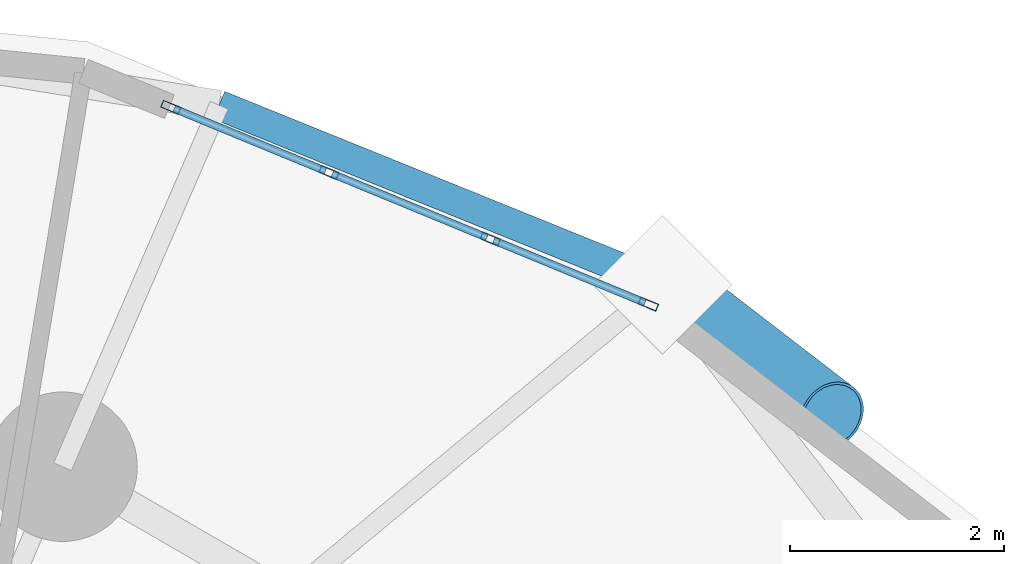
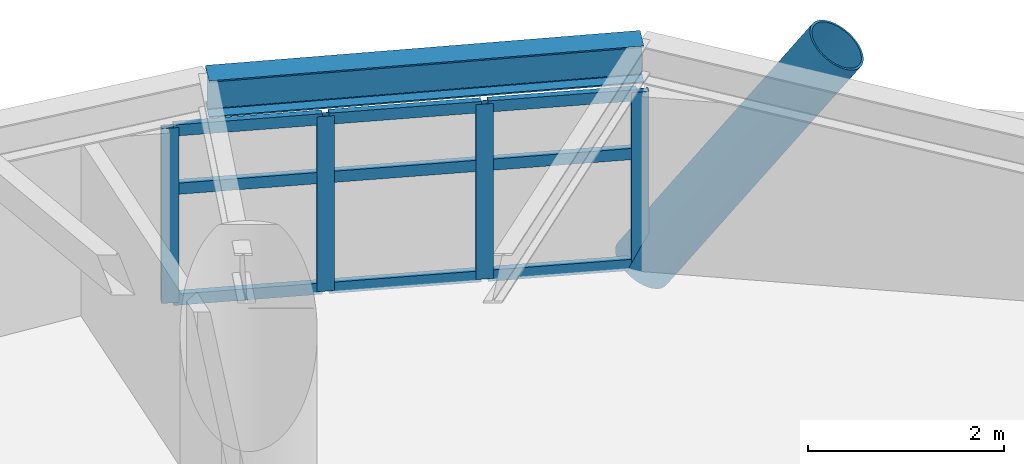
# One storey, part 7 of 19: 14 members, 1 beam, 1 element without a shape of its own.
"""IFC4 building model written with IfcOpenShell, lengths in metres."""

from ifc_helpers import new_model, si_unit, direction, frame, origin, origin_2d, place, context, subcontext, project, spatial, hollow_rectangle, hollow_circle, i_section, extrude, material, layer, layer_set, material_profile, profile_set, type_object, element, aggregate, save


model = new_model("IFC4")

# Units and contexts
model_context = context("Model", 3, precision=1e-05, world=origin(), true_north=direction((0.0, 1.0)))
body_context = subcontext(model_context, "Body", "Model", "MODEL_VIEW")
ifc_project = project(units=[si_unit("LENGTHUNIT", "METRE"), si_unit("AREAUNIT", "SQUARE_METRE"), si_unit("VOLUMEUNIT", "CUBIC_METRE"), si_unit("PLANEANGLEUNIT", "RADIAN"), si_unit("MASSUNIT", "GRAM", prefix="KILO")], contexts=[model_context])

# Site, building, storey
site_placement = place(None, origin())
site = spatial("IfcSite", under=ifc_project, at=site_placement, CompositionType="ELEMENT")
building_placement = place(site_placement, origin())
building = spatial("IfcBuilding", under=site, at=building_placement, Name="Cununo Teusaquillo Station Towers", CompositionType="ELEMENT")
storey_placement = place(building_placement, frame((0.0, 0.0, 84.699951171875)))
storey = spatial("IfcBuildingStorey", under=building, at=storey_placement, Name="L26", CompositionType="ELEMENT", Elevation=84.699951171875)

# Beam
ifc_material_1 = material(Name="Steel ASTM A572 Grade 50", Category="steel")
ifc_material_profile_1 = material_profile(ifc_material_1, i_section(OverallWidth=0.280029296875, OverallDepth=0.462890625, WebThickness=0.0107421875, FlangeThickness=0.017333984375, FilletRadius=0.013916015625, at=origin_2d()), Name="W18X76")
ifc_profile_set_1 = profile_set([ifc_material_profile_1], Name="Steel ASTM A572 Grade 50")
beam_type = type_object("IfcBeamType", Name="BM-RING-Z2", PredefinedType="SPANDREL", material=ifc_profile_set_1)
beam_placement = place(storey_placement, frame((63.9111328125, 39.341064453125, 2.4384765625), z_axis=(-0.927007712072, 0.375042266631, 0.0), x_axis=(-0.375042266631, -0.927007712072, 0.0)))
element("IfcBeam", 1, at=beam_placement, inside=storey, type_object=beam_type, Name="L26 Tower B Spandrel Ring Beam 02", PredefinedType="SPANDREL", context=body_context, shape_type="SweptSolid", body=[
    extrude(i_section(OverallWidth=0.280029296875, OverallDepth=0.462890625, WebThickness=0.0107421875, FlangeThickness=0.017333984375, FilletRadius=0.013916015625, at=origin_2d()), origin(), (0.0, 0.0, 1.0), 4.480712890625),
])

# Curtain wall, members
ifc_material_2 = material(Name="Ceramic-fritted dark low-E double glazing", Category="glass")
ifc_layer = layer(ifc_material_2, 0.179931640625)
ifc_layer_set = layer_set([ifc_layer], Name="Ceramic-fritted dark low-E double glazing")
curtain_wall_type = type_object("IfcCurtainWallType", Name="CW-SYS-04", PredefinedType="USERDEFINED", material=ifc_layer_set)
curtain_wall_placement = place(storey_placement, origin())
curtain_wall = element("IfcCurtainWall", 2, at=curtain_wall_placement, inside=storey, type_object=curtain_wall_type, Name="L26 Tower B Facade Curtain Wall C01", ObjectType="FRITTED GLAZING", PredefinedType="USERDEFINED")
ifc_material_3 = material(Name="Anodised dark bronze aluminium EN AW-6063-T6", Category="aluminium")
ifc_material_profile_2 = material_profile(ifc_material_3, hollow_rectangle(XDim=0.070068359375, YDim=0.179931640625, WallThickness=0.00390625, at=origin_2d()), Name="CW-MULL-70x180")
ifc_profile_set_2 = profile_set([ifc_material_profile_2], Name="Anodised dark bronze aluminium EN AW-6063-T6")
member_type_1 = type_object("IfcMemberType", Name="CWM-180", PredefinedType="MULLION", material=ifc_profile_set_2)
member_1_placement = place(storey_placement, frame((59.3056640625, 41.001953125, 0.0), z_axis=(0.0, 0.0, 1.0), x_axis=(0.381030560176, 0.924562443652, 0.0)))
member_1 = element("IfcMember", 3, at=member_1_placement, type_object=member_type_1, Name="CW-04 mullion 1", PredefinedType="MULLION", context=body_context, shape_type="SweptSolid", body=[
    extrude(hollow_rectangle(XDim=0.070068359375, YDim=0.179931640625, WallThickness=0.00390625, at=origin_2d()), origin(), (0.0, 0.0, 1.0), 2.178955078125),
])
member_2_placement = place(storey_placement, frame((60.785888671875, 40.39208984375, 0.0), z_axis=(0.0, 0.0, 1.0), x_axis=(0.381030560176, 0.924562443652, 0.0)))
member_2 = element("IfcMember", 4, at=member_2_placement, type_object=member_type_1, Name="CW-04 mullion 2", PredefinedType="MULLION", context=body_context, shape_type="SweptSolid", body=[
    extrude(hollow_rectangle(XDim=0.070068359375, YDim=0.179931640625, WallThickness=0.00390625, at=origin_2d()), origin(), (0.0, 0.0, 1.0), 2.178955078125),
])
member_3_placement = place(storey_placement, frame((62.298583984375, 39.7685546875, 0.0), z_axis=(0.0, 0.0, 1.0), x_axis=(0.381030560176, 0.924562443652, 0.0)))
member_3 = element("IfcMember", 5, at=member_3_placement, type_object=member_type_1, Name="CW-04 mullion 3", PredefinedType="MULLION", context=body_context, shape_type="SweptSolid", body=[
    extrude(hollow_rectangle(XDim=0.070068359375, YDim=0.179931640625, WallThickness=0.00390625, at=origin_2d()), origin(), (0.0, 0.0, 1.0), 2.178955078125),
])
member_4_placement = place(storey_placement, frame((63.77880859375, 39.158447265625, 0.0), z_axis=(0.0, 0.0, 1.0), x_axis=(0.381030560176, 0.924562443652, 0.0)))
member_4 = element("IfcMember", 6, at=member_4_placement, type_object=member_type_1, Name="CW-04 mullion 4", PredefinedType="MULLION", context=body_context, shape_type="SweptSolid", body=[
    extrude(hollow_rectangle(XDim=0.070068359375, YDim=0.179931640625, WallThickness=0.00390625, at=origin_2d()), origin(), (0.0, 0.0, 1.0), 2.178955078125),
])
ifc_material_4 = material(Name="Anodised dark bronze aluminium EN AW-6063-T6", Category="aluminium")
ifc_material_profile_3 = material_profile(ifc_material_4, hollow_rectangle(XDim=0.070068359375, YDim=0.139892578125, WallThickness=0.00390625, at=origin_2d()), Name="CW-TRAN-70x140")
ifc_profile_set_3 = profile_set([ifc_material_profile_3], Name="Anodised dark bronze aluminium EN AW-6063-T6")
member_type_2 = type_object("IfcMemberType", Name="CWT-140", PredefinedType="USERDEFINED", material=ifc_profile_set_3)
member_5_placement = place(storey_placement, frame((59.337890625, 40.98876953125, 0.03515625), z_axis=(0.924532726965, -0.381102659097, 0.0), x_axis=(0.381102659097, 0.924532726965, 0.0)))
member_5 = element("IfcMember", 7, at=member_5_placement, type_object=member_type_2, Name="CW-04 transom 1.1", ObjectType="TRANSOM", PredefinedType="USERDEFINED", context=body_context, shape_type="SweptSolid", body=[
    extrude(hollow_rectangle(XDim=0.070068359375, YDim=0.139892578125, WallThickness=0.00390625, at=origin_2d()), origin(), (0.0, 0.0, 1.0), 1.531005859375),
])
member_6_placement = place(storey_placement, frame((59.337890625, 40.98876953125, 1.416015625), z_axis=(0.924532726965, -0.381102659097, 0.0), x_axis=(0.381102659097, 0.924532726965, 0.0)))
member_6 = element("IfcMember", 8, at=member_6_placement, type_object=member_type_2, Name="CW-04 transom 1.2", ObjectType="TRANSOM", PredefinedType="USERDEFINED", context=body_context, shape_type="SweptSolid", body=[
    extrude(hollow_rectangle(XDim=0.070068359375, YDim=0.139892578125, WallThickness=0.00390625, at=origin_2d()), origin(), (0.0, 0.0, 1.0), 1.531005859375),
])
member_7_placement = place(storey_placement, frame((59.337890625, 40.98876953125, 2.14404296875), z_axis=(0.924532726965, -0.381102659097, 0.0), x_axis=(0.381102659097, 0.924532726965, 0.0)))
member_7 = element("IfcMember", 9, at=member_7_placement, type_object=member_type_2, Name="CW-04 transom 1.3", ObjectType="TRANSOM", PredefinedType="USERDEFINED", context=body_context, shape_type="SweptSolid", body=[
    extrude(hollow_rectangle(XDim=0.070068359375, YDim=0.139892578125, WallThickness=0.00390625, at=origin_2d()), origin(), (0.0, 0.0, 1.0), 1.531005859375),
])
member_8_placement = place(storey_placement, frame((60.818115234375, 40.378662109375, 0.03515625), z_axis=(0.924577983912, -0.380992849887, 0.0), x_axis=(0.380992849887, 0.924577983912, 0.0)))
member_8 = element("IfcMember", 10, at=member_8_placement, type_object=member_type_2, Name="CW-04 transom 2.1", ObjectType="TRANSOM", PredefinedType="USERDEFINED", context=body_context, shape_type="SweptSolid", body=[
    extrude(hollow_rectangle(XDim=0.070068359375, YDim=0.139892578125, WallThickness=0.00390625, at=origin_2d()), origin(), (0.0, 0.0, 1.0), 1.566162109375),
])
member_9_placement = place(storey_placement, frame((60.818115234375, 40.378662109375, 1.416015625), z_axis=(0.924577983912, -0.380992849887, 0.0), x_axis=(0.380992849887, 0.924577983912, 0.0)))
member_9 = element("IfcMember", 11, at=member_9_placement, type_object=member_type_2, Name="CW-04 transom 2.2", ObjectType="TRANSOM", PredefinedType="USERDEFINED", context=body_context, shape_type="SweptSolid", body=[
    extrude(hollow_rectangle(XDim=0.070068359375, YDim=0.139892578125, WallThickness=0.00390625, at=origin_2d()), origin(), (0.0, 0.0, 1.0), 1.566162109375),
])
member_10_placement = place(storey_placement, frame((60.818115234375, 40.378662109375, 2.14404296875), z_axis=(0.924577983912, -0.380992849887, 0.0), x_axis=(0.380992849887, 0.924577983912, 0.0)))
member_10 = element("IfcMember", 12, at=member_10_placement, type_object=member_type_2, Name="CW-04 transom 2.3", ObjectType="TRANSOM", PredefinedType="USERDEFINED", context=body_context, shape_type="SweptSolid", body=[
    extrude(hollow_rectangle(XDim=0.070068359375, YDim=0.139892578125, WallThickness=0.00390625, at=origin_2d()), origin(), (0.0, 0.0, 1.0), 1.566162109375),
])
member_11_placement = place(storey_placement, frame((62.330810546875, 39.75537109375, 0.03515625), z_axis=(0.924555881283, -0.381046483233, 0.0), x_axis=(0.381046483233, 0.924555881283, 0.0)))
member_11 = element("IfcMember", 13, at=member_11_placement, type_object=member_type_2, Name="CW-04 transom 3.1", ObjectType="TRANSOM", PredefinedType="USERDEFINED", context=body_context, shape_type="SweptSolid", body=[
    extrude(hollow_rectangle(XDim=0.070068359375, YDim=0.139892578125, WallThickness=0.00390625, at=origin_2d()), origin(), (0.0, 0.0, 1.0), 1.53125),
])
member_12_placement = place(storey_placement, frame((62.330810546875, 39.75537109375, 1.416015625), z_axis=(0.924555881283, -0.381046483233, 0.0), x_axis=(0.381046483233, 0.924555881283, 0.0)))
member_12 = element("IfcMember", 14, at=member_12_placement, type_object=member_type_2, Name="CW-04 transom 3.2", ObjectType="TRANSOM", PredefinedType="USERDEFINED", context=body_context, shape_type="SweptSolid", body=[
    extrude(hollow_rectangle(XDim=0.070068359375, YDim=0.139892578125, WallThickness=0.00390625, at=origin_2d()), origin(), (0.0, 0.0, 1.0), 1.53125),
])
member_13_placement = place(storey_placement, frame((62.330810546875, 39.75537109375, 2.14404296875), z_axis=(0.924555881283, -0.381046483233, 0.0), x_axis=(0.381046483233, 0.924555881283, 0.0)))
member_13 = element("IfcMember", 15, at=member_13_placement, type_object=member_type_2, Name="CW-04 transom 3.3", ObjectType="TRANSOM", PredefinedType="USERDEFINED", context=body_context, shape_type="SweptSolid", body=[
    extrude(hollow_rectangle(XDim=0.070068359375, YDim=0.139892578125, WallThickness=0.00390625, at=origin_2d()), origin(), (0.0, 0.0, 1.0), 1.53125),
])
aggregate(curtain_wall, [member_1, member_2, member_3, member_4, member_5, member_6, member_7, member_8, member_9, member_10, member_11, member_12, member_13])

# Member
ifc_material_5 = material(Name="Steel EN 10025-2 S355J2", Category="steel")
ifc_material_profile_4 = material_profile(ifc_material_5, hollow_circle(Radius=0.330078125, WallThickness=0.02490234375, at=origin_2d()), Name="CHS 660x25")
ifc_profile_set_4 = profile_set([ifc_material_profile_4], Name="Steel EN 10025-2 S355J2")
member_type_3 = type_object("IfcMemberType", Name="MBR-DIAG-Z2", PredefinedType="BRACE", material=ifc_profile_set_4)
member_14_placement = place(storey_placement, frame((63.9111328125, 39.341064453125, -0.139892578125), z_axis=(0.449247835466, -0.346074936166, 0.823655583898), x_axis=(0.610264182076, 0.792197972779, 0.0)))
element("IfcMember", 16, at=member_14_placement, inside=storey, type_object=member_type_3, Name="L26 Tower B Folded-Zigzag Diagrid Tube C00", PredefinedType="BRACE", context=body_context, shape_type="SweptSolid", body=[
    extrude(hollow_circle(Radius=0.330078125, WallThickness=0.02490234375, at=origin_2d()), origin(), (0.0, 0.0, 1.0), 3.532958984375),
])

save(model, "model.ifc")
